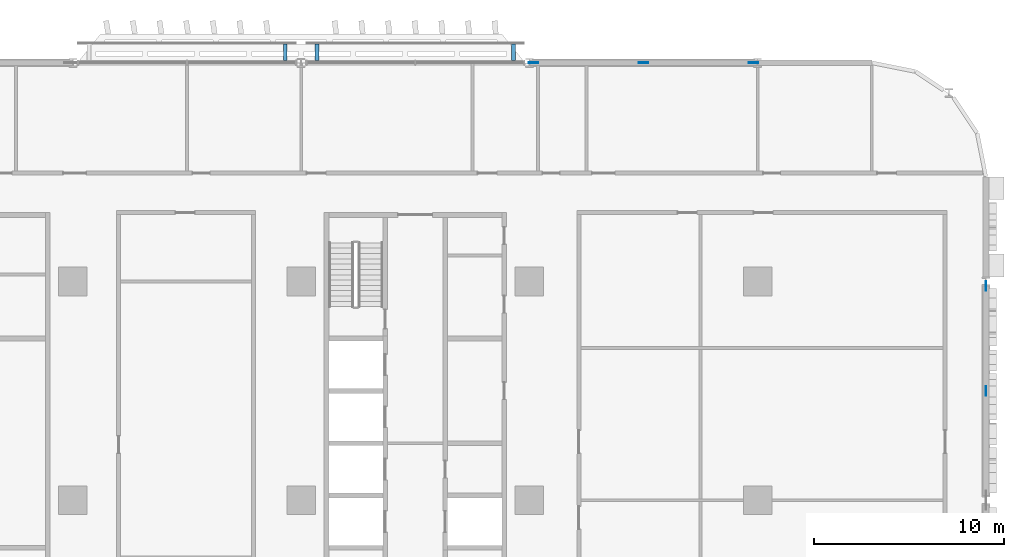
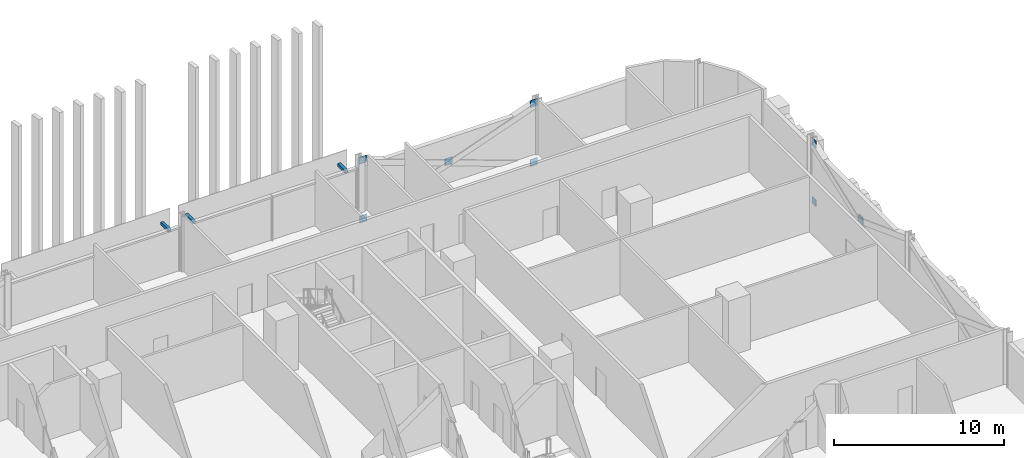
# One storey, part 20 of 29: 11 discrete accessories.
"""IFC4 building model written with IfcOpenShell, lengths in metres."""

from ifc_helpers import new_model, si_unit, direction, frame, origin, origin_2d, place, context, subcontext, project, spatial, rectangle, extrude, material, layer, layer_set, type_object, element, save


model = new_model("IFC4")

# Units and contexts
model_context = context("Model", 3, precision=1e-05, world=origin(), true_north=direction((0.0, 1.0)))
body_context = subcontext(model_context, "Body", "Model", "MODEL_VIEW")
ifc_project = project(units=[si_unit("LENGTHUNIT", "METRE"), si_unit("AREAUNIT", "SQUARE_METRE"), si_unit("VOLUMEUNIT", "CUBIC_METRE"), si_unit("PLANEANGLEUNIT", "RADIAN"), si_unit("MASSUNIT", "GRAM", prefix="KILO")], contexts=[model_context])

# Site, building, storey
site_placement = place(None, origin())
site = spatial("IfcSite", under=ifc_project, at=site_placement, CompositionType="ELEMENT")
building_placement = place(site_placement, origin())
building = spatial("IfcBuilding", under=site, at=building_placement, Name="Mahtab Terrace Research Tower", CompositionType="ELEMENT")
storey_placement = place(building_placement, frame((0.0, 0.0, 46.0)))
storey = spatial("IfcBuildingStorey", under=building, at=storey_placement, Name="L10", CompositionType="ELEMENT", Elevation=46.0)

# Discrete accessories
ifc_material_1 = material(Name="Black anodised aluminium", Category="aluminium")
discrete_accessory_type_1 = type_object("IfcDiscreteAccessoryType", Name="Facade bracket", PredefinedType="BRACKET", material=ifc_material_1)
for number, where, z_axis, x_axis, name in (
    (1, (29.162109375, 23.5625, 2.9033203125), (0.0, 0.0, 1.0), (-1.0, 0.0, 0.0), "Screen bracket Girih screen L10 N6"),
    (2, (18.837890625, 23.5625, 2.9033203125), (0.0, 0.0, 1.0), (-1.0, 0.0, 0.0), "Screen bracket Girih screen L10 N6"),
    (3, (17.162109375, 23.5625, 2.9033203125), (0.0, 0.0, 1.0), (-1.0, 0.0, 0.0), "Screen bracket Girih screen L10 N7"),
):
    element("IfcDiscreteAccessory", number, at=place(storey_placement, frame(where, z_axis=z_axis, x_axis=x_axis)), inside=storey, type_object=discrete_accessory_type_1, Name=name, PredefinedType="BRACKET", context=body_context, shape_type="SweptSolid", body=[
        extrude(rectangle(XDim=0.199951171875, YDim=0.875, at=origin_2d()), origin(), (0.0, 0.0, 1.0), 0.199951171875),
    ])
ifc_material_2 = material(Name="Steel ASTM A992 Gr 50", Category="steel")
ifc_layer = layer(ifc_material_2, 0.030029296875)
ifc_layer_set = layer_set([ifc_layer], Name="Gusset plate 500x500x30")
discrete_accessory_type_2 = type_object("IfcDiscreteAccessoryType", Name="Gusset plate 500x500x30", PredefinedType="USERDEFINED", material=ifc_layer_set)
for number, where, z_axis, x_axis, name in (
    (4, (30.212158203125, 23.0, -0.892333984375), (0.0, 0.0, 1.0), (1.0, 0.0, 0.0), "Gusset plate"),
    (5, (30.212158203125, 23.0, 3.33154296875), (0.0, 0.0, 1.0), (1.0, 0.0, 0.0), "Gusset plate"),
    (6, (36.0, 23.0, 1.181396484375), (0.0, 0.0, 1.0), (1.0, 0.0, 0.0), "Gusset plate"),
    (7, (41.787841796875, 23.0, -0.892333984375), (0.0, 0.0, 1.0), (1.0, 0.0, 0.0), "Gusset plate"),
    (8, (41.787841796875, 23.0, 3.33154296875), (0.0, 0.0, 1.0), (1.0, 0.0, 0.0), "Gusset plate"),
    (9, (54.0, 5.75, 1.181396484375), (0.0, 0.0, 1.0), (0.0, 1.0, 0.0), "Gusset plate"),
    (10, (54.0, 11.262451171875, -0.879638671875), (0.0, 0.0, 1.0), (0.0, 1.0, 0.0), "Gusset plate"),
    (11, (54.0, 11.262451171875, 3.33154296875), (0.0, 0.0, 1.0), (0.0, 1.0, 0.0), "Gusset plate"),
):
    element("IfcDiscreteAccessory", number, at=place(storey_placement, frame(where, z_axis=z_axis, x_axis=x_axis)), inside=storey, type_object=discrete_accessory_type_2, Name=name, ObjectType="GUSSET PLATE", PredefinedType="USERDEFINED", context=body_context, shape_type="SweptSolid", body=[
        extrude(rectangle(XDim=0.5, YDim=0.030029296875, at=origin_2d()), origin(), (0.0, 0.0, 1.0), 0.5),
    ])

save(model, "model.ifc")
